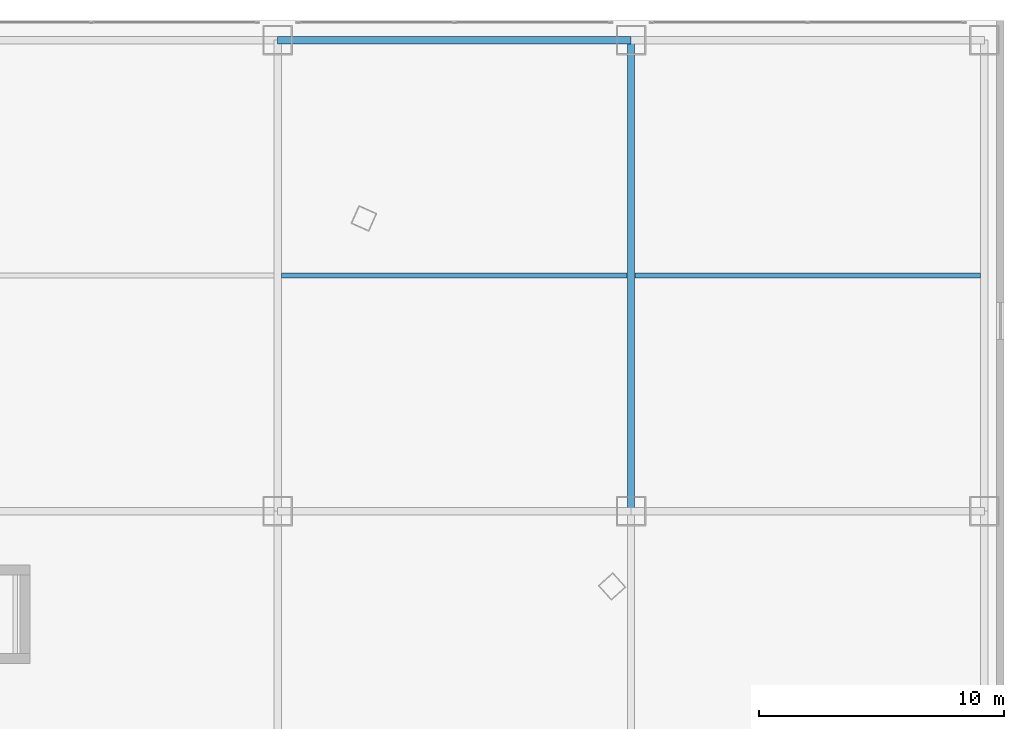
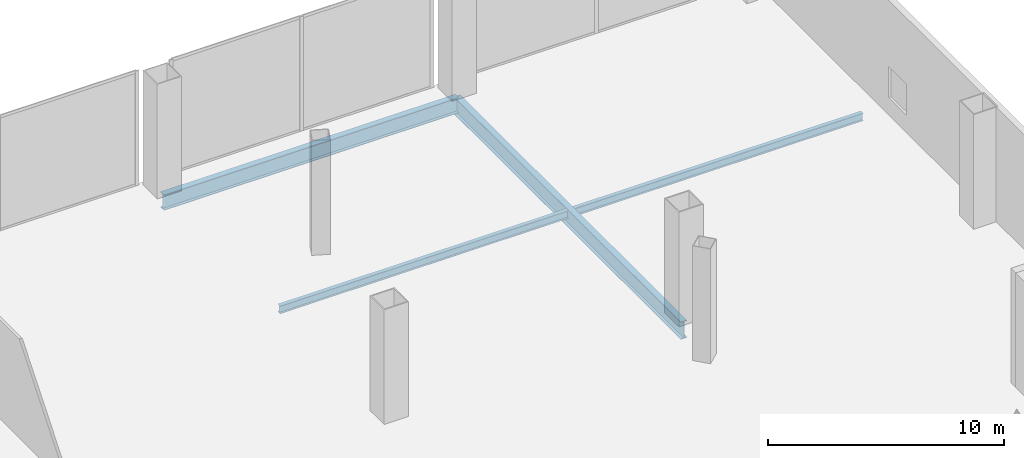
# One storey, part 27 of 41: 4 beams.
"""IFC4 building model written with IfcOpenShell, lengths in metres."""

from ifc_helpers import new_model, si_unit, direction, frame, origin, origin_2d, place, context, subcontext, project, spatial, i_section, extrude, source, transform, mapped, material, material_profile, profile_set, type_object, element, save


model = new_model("IFC4")

# Units and contexts
model_context = context("Model", 3, precision=1e-05, world=origin(), true_north=direction((0.0, 1.0)))
body_context = subcontext(model_context, "Body", "Model", "MODEL_VIEW")
ifc_project = project(units=[si_unit("LENGTHUNIT", "METRE"), si_unit("AREAUNIT", "SQUARE_METRE"), si_unit("VOLUMEUNIT", "CUBIC_METRE"), si_unit("PLANEANGLEUNIT", "RADIAN"), si_unit("MASSUNIT", "GRAM", prefix="KILO"), si_unit("THERMODYNAMICTEMPERATUREUNIT", "KELVIN"), si_unit("POWERUNIT", "WATT")], contexts=[model_context])

# Site, building, storey
site_placement = place(None, origin())
site = spatial("IfcSite", under=ifc_project, at=site_placement, CompositionType="ELEMENT")
building_placement = place(site_placement, origin())
building = spatial("IfcBuilding", under=site, at=building_placement, Name="Yunzhuo Pagoda Commons", CompositionType="ELEMENT")
storey_placement = place(building_placement, frame((0.0, 0.0, 19.199951171875)))
storey = spatial("IfcBuildingStorey", under=building, at=storey_placement, Name="L05", CompositionType="ELEMENT", Elevation=19.199951171875)

# Beams
ifc_material = material(Name="Structural steel Q355B", Category="steel")
ifc_material_profile_1 = material_profile(ifc_material, i_section(OverallWidth=0.300048828125, OverallDepth=0.800048828125, WebThickness=0.013916015625, FlangeThickness=0.02587890625, at=origin_2d()), Name="Structural steel Q355B")
ifc_profile_set_1 = profile_set([ifc_material_profile_1], Name="Structural steel Q355B")
beam_type_1 = type_object("IfcBeamType", Name="B-PD2 Beam HN 800x300x14x26", PredefinedType="BEAM", material=ifc_profile_set_1)
shared_shape_1 = source(origin(), body_context, "Body", "SweptSolid", [
    extrude(i_section(OverallWidth=0.300048828125, OverallDepth=0.800048828125, WebThickness=0.013916015625, FlangeThickness=0.02587890625, at=origin_2d()), origin(), (0.0, 0.0, 1.0), 14.400146484375),
])
beam_1_placement = place(storey_placement, frame((62.39990234375, 81.199951171875, -0.6796875), z_axis=(1.0, 0.0, 0.0), x_axis=(0.0, 1.0, 0.0)))
element("IfcBeam", 1, at=beam_1_placement, inside=storey, type_object=beam_type_1, Name="L05 podium girder EW 5.4", PredefinedType="BEAM", context=body_context, shape_type="MappedRepresentation", body=[
    mapped(shared_shape_1, transform((0.0, 0.0, 0.0), scale=1.0)),
])
ifc_material_profile_2 = material_profile(ifc_material, i_section(OverallWidth=0.199951171875, OverallDepth=0.39990234375, WebThickness=0.008056640625, FlangeThickness=0.012939453125, at=origin_2d()), Name="Structural steel Q355B")
ifc_profile_set_2 = profile_set([ifc_material_profile_2], Name="Structural steel Q355B")
beam_type_2 = type_object("IfcBeamType", Name="B-JS1 Joist HN 400x200x8x13", PredefinedType="JOIST", material=ifc_profile_set_2)
shared_shape_2 = source(origin(), body_context, "Body", "SweptSolid", [
    extrude(i_section(OverallWidth=0.199951171875, OverallDepth=0.39990234375, WebThickness=0.008056640625, FlangeThickness=0.012939453125, at=origin_2d()), origin(), (0.0, 0.0, 1.0), 14.08984375),
])
beam_2_placement = place(storey_placement, frame((76.955078125, 71.60009765625, -0.47998046875), z_axis=(1.0, 0.0, 0.0), x_axis=(0.0, 1.0, 0.0)))
element("IfcBeam", 2, at=beam_2_placement, inside=storey, type_object=beam_type_2, Name="L05 podium composite joist 5.4", PredefinedType="JOIST", context=body_context, shape_type="MappedRepresentation", body=[
    mapped(shared_shape_2, transform((0.0, 0.0, 0.0), scale=1.0)),
])
ifc_material_profile_3 = material_profile(ifc_material, i_section(OverallWidth=0.300048828125, OverallDepth=0.89990234375, WebThickness=0.01611328125, FlangeThickness=0.028076171875, at=origin_2d()), Name="Structural steel Q355B")
ifc_profile_set_3 = profile_set([ifc_material_profile_3], Name="Structural steel Q355B")
beam_type_3 = type_object("IfcBeamType", Name="B-PD1 Beam HN 900x300x16x28", PredefinedType="BEAM", material=ifc_profile_set_3)
shared_shape_3 = source(origin(), body_context, "Body", "SweptSolid", [
    extrude(i_section(OverallWidth=0.300048828125, OverallDepth=0.89990234375, WebThickness=0.01611328125, FlangeThickness=0.028076171875, at=origin_2d()), origin(), (0.0, 0.0, 1.0), 19.199951171875),
])
beam_3_placement = place(storey_placement, frame((76.800048828125, 62.0, -0.72998046875), z_axis=(0.0, 1.0, 0.0), x_axis=(-1.0, 0.0, 0.0)))
element("IfcBeam", 3, at=beam_3_placement, inside=storey, type_object=beam_type_3, Name="L05 podium girder NS 5.4", PredefinedType="BEAM", context=body_context, shape_type="MappedRepresentation", body=[
    mapped(shared_shape_3, transform((0.0, 0.0, 0.0), scale=1.0)),
])
shared_shape_4 = source(origin(), body_context, "Body", "SweptSolid", [
    extrude(i_section(OverallWidth=0.199951171875, OverallDepth=0.39990234375, WebThickness=0.008056640625, FlangeThickness=0.012939453125, at=origin_2d()), origin(), (0.0, 0.0, 1.0), 14.09033203125),
])
beam_4_placement = place(storey_placement, frame((62.554931640625, 71.60009765625, -0.47998046875), z_axis=(1.0, 0.0, 0.0), x_axis=(0.0, 1.0, 0.0)))
element("IfcBeam", 4, at=beam_4_placement, inside=storey, type_object=beam_type_2, Name="L05 podium composite joist 4.4", PredefinedType="JOIST", context=body_context, shape_type="MappedRepresentation", body=[
    mapped(shared_shape_4, transform((0.0, 0.0, 0.0), scale=1.0)),
])

save(model, "model.ifc")
